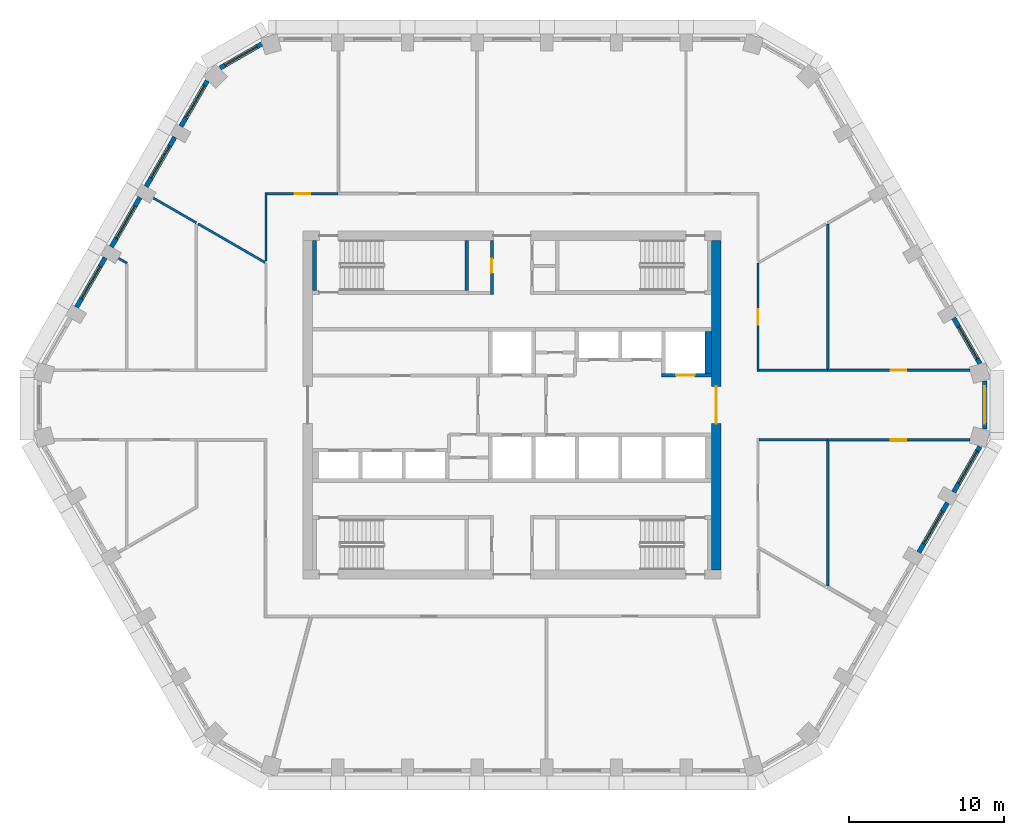
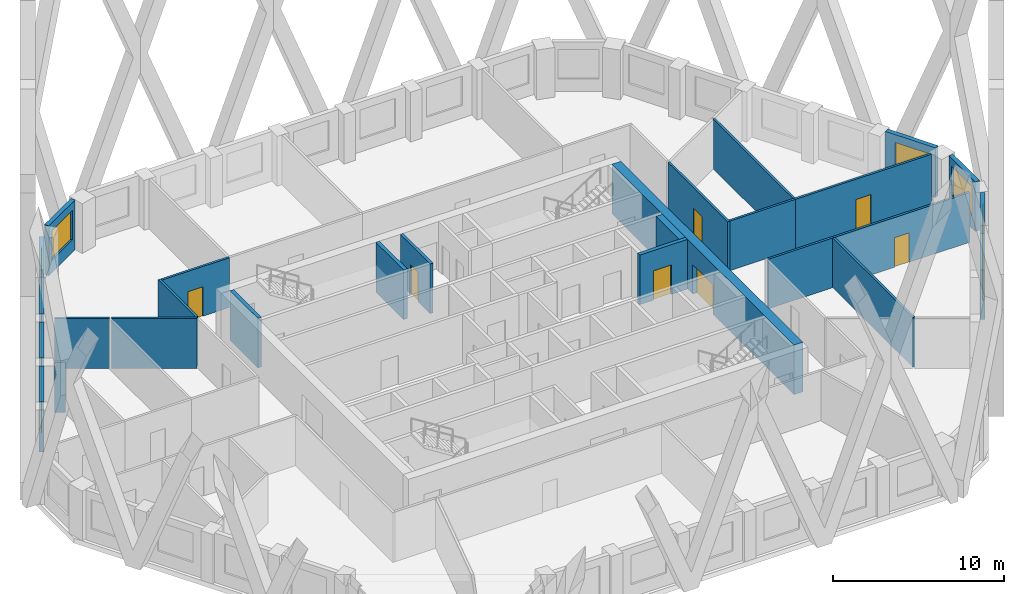
# One storey, part 5 of 15: 27 walls, 9 windows, 7 doors, 16 openings.
"""IFC4 building model written with IfcOpenShell, lengths in metres."""

import ifcopenshell
import ifcopenshell.guid

model = None  # the IFC model being written
_history = None  # IfcOwnerHistory: only IFC2X3 demands one
_inside = {}  # id of a spatial element -> (the spatial element, [elements in it])
_under = {}  # id of a project, library or spatial element -> (it, [spatial elements below it])
_declared = {}  # id of a project -> (the project, [libraries it declares])
_typed = {}  # id of a type object -> (the type object, [elements of that type])
_made_of = {}  # id of a material, layer set ... -> (it, [elements and type objects made of it])


def new_model(schema):
    """Start an empty IFC model of exactly this schema.

    Asked for "IFC4X3", IfcOpenShell would pick the latest addendum, in which some entities
    have other attributes; the version numbers below select the first issue.
    IFC2X3 requires an IfcOwnerHistory on every rooted entity: one is made here for all.
    """
    global model, _history
    if schema == "IFC4X3":
        model = ifcopenshell.file(schema_version=(4, 3, 0, 0))
    else:
        model = ifcopenshell.file(schema=schema)
    _inside.clear()
    _under.clear()
    _declared.clear()
    _typed.clear()
    _made_of.clear()
    _history = None
    if model.schema == "IFC2X3":
        org = make("IfcOrganization", Name="unknown")
        user = make(
            "IfcPersonAndOrganization",
            ThePerson=make("IfcPerson", FamilyName="unknown"),
            TheOrganization=org,
        )
        app = make(
            "IfcApplication",
            ApplicationDeveloper=org,
            Version="unknown",
            ApplicationFullName="unknown",
            ApplicationIdentifier="unknown",
        )
        _history = make(
            "IfcOwnerHistory",
            OwningUser=user,
            OwningApplication=app,
            ChangeAction="ADDED",
            CreationDate=0,
        )
    return model


def make(cls, **values):
    """One entity of the class cls with the attributes given. An attribute that is None is left unset."""
    return model.create_entity(
        cls, **{name: value for name, value in values.items() if value is not None}
    )


def rooted(cls, **values):
    """An entity with a GlobalId (a new one), such as an element, a storey or a relation."""
    return make(cls, GlobalId=ifcopenshell.guid.new(), OwnerHistory=_history, **values)


def si_unit(unit_type, name, prefix=None):
    """IfcSIUnit, for example si_unit("LENGTHUNIT", "METRE", prefix="MILLI")."""
    return make("IfcSIUnit", UnitType=unit_type, Prefix=prefix, Name=name)


def assignment(units):
    """IfcUnitAssignment: the units of a project."""
    return None if units is None else make("IfcUnitAssignment", Units=units)


def point(xyz):
    """IfcCartesianPoint."""
    return None if xyz is None else make("IfcCartesianPoint", Coordinates=xyz)


def direction(xyz):
    """IfcDirection."""
    return None if xyz is None else make("IfcDirection", DirectionRatios=xyz)


def frame(location, z_axis=None, x_axis=None):
    """IfcAxis2Placement3D, a coordinate frame: its origin and axes. An axis left out is left unset."""
    return make(
        "IfcAxis2Placement3D",
        Location=point(location),
        Axis=direction(z_axis),
        RefDirection=direction(x_axis),
    )


def frame_2d(location, x_axis=None):
    """IfcAxis2Placement2D, a coordinate frame in the plane: its origin and x axis."""
    return make(
        "IfcAxis2Placement2D", Location=point(location), RefDirection=direction(x_axis)
    )


def origin():
    """The frame at (0, 0, 0) with its axes left unset."""
    return frame((0.0, 0.0, 0.0))


def place(relative_to, where):
    """IfcLocalPlacement: puts the frame where relative to a parent placement (None: the world)."""
    return make(
        "IfcLocalPlacement", PlacementRelTo=relative_to, RelativePlacement=where
    )


def context(
    kind, dimensions, precision=None, world=None, true_north=None, identifier=None
):
    """IfcGeometricRepresentationContext, for example the 3D "Model" context."""
    return make(
        "IfcGeometricRepresentationContext",
        ContextIdentifier=identifier,
        ContextType=kind,
        CoordinateSpaceDimension=dimensions,
        Precision=precision,
        WorldCoordinateSystem=world,
        TrueNorth=true_north,
    )


def subcontext(parent, identifier, kind, view, scale=None):
    """IfcGeometricRepresentationSubContext, for example "Body" below "Model"."""
    return make(
        "IfcGeometricRepresentationSubContext",
        ContextIdentifier=identifier,
        ContextType=kind,
        ParentContext=parent,
        TargetScale=scale,
        TargetView=view,
    )


def project(units=None, contexts=None):
    """IfcProject with its units and contexts."""
    return rooted(
        "IfcProject",
        Name="project",
        RepresentationContexts=contexts,
        UnitsInContext=assignment(units),
    )


def spatial(cls, under=None, at=None, **own):
    """A site, building, storey or space (cls), placed at a placement, below another one or the project."""
    s = rooted(cls, ObjectPlacement=at, **own)
    if under is not None:
        _under.setdefault(under.id(), (under, []))[1].append(s)
    return s


def polyline(points):
    """IfcPolyline through the points."""
    return make("IfcPolyline", Points=[point(p) for p in points])


def profile(cls, at=None, kind="AREA", **sizes):
    """A parametric profile (cls). Its sizes go by their IFC names, for example OverallWidth=200.0."""
    return make(cls, ProfileType=kind, Position=at, **sizes)


def rectangle(**sizes):
    """IfcRectangleProfileDef."""
    return profile("IfcRectangleProfileDef", **sizes)


def outline(outer, holes=None, kind="AREA"):
    """IfcArbitraryClosedProfileDef: a profile drawn as a closed curve; with holes, ...WithVoids."""
    if holes is None:
        return make("IfcArbitraryClosedProfileDef", ProfileType=kind, OuterCurve=outer)
    return make(
        "IfcArbitraryProfileDefWithVoids",
        ProfileType=kind,
        OuterCurve=outer,
        InnerCurves=holes,
    )


def extrude(swept, where, along, depth):
    """IfcExtrudedAreaSolid: the profile swept, set in the frame where, extruded along a direction by depth."""
    return make(
        "IfcExtrudedAreaSolid",
        SweptArea=swept,
        Position=where,
        ExtrudedDirection=direction(along),
        Depth=depth,
    )


def shape(context_of_items, identifier, shape_type, items):
    """IfcShapeRepresentation: the items that make up one representation, for example the "Body"."""
    return make(
        "IfcShapeRepresentation",
        ContextOfItems=context_of_items,
        RepresentationIdentifier=identifier,
        RepresentationType=shape_type,
        Items=items,
    )


def material(Name=None, Category=None):
    """IfcMaterial."""
    return make("IfcMaterial", Name=Name, Category=Category)


def layer(
    of_material, thickness, ventilated=None, Name=None, Category=None, Priority=None
):
    """IfcMaterialLayer: one layer of a wall or slab, of a material (None: an air gap)."""
    return make(
        "IfcMaterialLayer",
        Material=of_material,
        LayerThickness=thickness,
        IsVentilated=ventilated,
        Name=Name,
        Category=Category,
        Priority=Priority,
    )


def layer_set(layers, Name=None):
    """IfcMaterialLayerSet."""
    return make("IfcMaterialLayerSet", MaterialLayers=layers, LayerSetName=Name)


def made_of(thing, what):
    """Note that an element or type object is made of a material, layer set ...; save() writes the relation."""
    if what is not None:
        _made_of.setdefault(what.id(), (what, []))[1].append(thing)
    return thing


def type_object(cls, material=None, **own):
    """A type object (cls), such as IfcWallType, which elements share."""
    return made_of(rooted(cls, **own), material)


def element(
    cls,
    number,
    at=None,
    inside=None,
    cuts=None,
    type_object=None,
    material=None,
    context=None,
    identifier="Body",
    shape_type=None,
    held_by="IfcProductDefinitionShape",
    body=None,
    shapes=None,
    **own,
):
    """One element of the class cls, such as IfcWall. Its Tag is "e" and its number.

    at: its placement. inside: the storey or other place that contains it. cuts: it is an
    opening in that element (IfcRelVoidsElement). A single representation is given by context,
    identifier, shape_type and body (its items); several are given by shapes. held_by: the class
    of the entity that holds the representations. save() writes the other relations.
    """
    e = rooted(cls, Tag="e%d" % number, ObjectPlacement=at, **own)
    if body is not None:
        shapes = [shape(context, identifier, shape_type, body)]
    if shapes is not None:
        e.Representation = make(held_by, Representations=shapes)
    if inside is not None:
        _inside.setdefault(inside.id(), (inside, []))[1].append(e)
    if cuts is not None:
        rooted(
            "IfcRelVoidsElement", RelatingBuildingElement=cuts, RelatedOpeningElement=e
        )
    if type_object is not None:
        _typed.setdefault(type_object.id(), (type_object, []))[1].append(e)
    return made_of(e, material)


def fill(opening, filler):
    """IfcRelFillsElement: the door or window that sits in an opening."""
    return rooted(
        "IfcRelFillsElement",
        RelatingOpeningElement=opening,
        RelatedBuildingElement=filler,
    )


def aggregate(whole, parts):
    """IfcRelAggregates: a whole, such as a stair, and the parts it consists of."""
    return rooted("IfcRelAggregates", RelatingObject=whole, RelatedObjects=parts)


def save(model, path):
    """Write the relations noted so far, then the file.

    IfcRelAggregates (storeys below a building ...), IfcRelContainedInSpatialStructure (elements
    in a storey), IfcRelDefinesByType, IfcRelAssociatesMaterial and IfcRelDeclares: one each for
    every whole, place, type object, material and project.
    """
    for whole, parts in _under.values():
        aggregate(whole, parts)
    for where, things in _inside.values():
        rooted(
            "IfcRelContainedInSpatialStructure",
            RelatedElements=things,
            RelatingStructure=where,
        )
    for kind, things in _typed.values():
        rooted("IfcRelDefinesByType", RelatedObjects=things, RelatingType=kind)
    for what, things in _made_of.values():
        rooted("IfcRelAssociatesMaterial", RelatedObjects=things, RelatingMaterial=what)
    for by, libraries in _declared.values():
        rooted("IfcRelDeclares", RelatingContext=by, RelatedDefinitions=libraries)
    model.write(path)


model = new_model("IFC4")

# Units and contexts
model_context = context("Model", 3, precision=1e-05, world=origin(), true_north=direction((0.0, 1.0)))
body_context = subcontext(model_context, "Body", "Model", "MODEL_VIEW")
ifc_project = project(units=[si_unit("LENGTHUNIT", "METRE"), si_unit("AREAUNIT", "SQUARE_METRE"), si_unit("VOLUMEUNIT", "CUBIC_METRE"), si_unit("PLANEANGLEUNIT", "RADIAN"), si_unit("MASSUNIT", "GRAM", prefix="KILO")], contexts=[model_context])

# Site, building, storey
site_placement = place(None, origin())
site = spatial("IfcSite", under=ifc_project, at=site_placement, CompositionType="ELEMENT")
building_placement = place(site_placement, origin())
building = spatial("IfcBuilding", under=site, at=building_placement, Name="Dhurran Vertical Campus", CompositionType="ELEMENT")
storey_placement = place(building_placement, frame((0.0, 0.0, 207.300048828125)))
storey = spatial("IfcBuildingStorey", under=building, at=storey_placement, Name="L51", CompositionType="ELEMENT", Elevation=207.300048828125)

# Wall, opening, window
ifc_material_1 = material(Name="Precast concrete C50/60", Category="concrete")
ifc_layer_1 = layer(ifc_material_1, 0.300048828125)
ifc_layer_set_1 = layer_set([ifc_layer_1], Name="Precast concrete C50/60")
wall_type_1 = type_object("IfcWallType", Name="Precast spandrel wall 300", PredefinedType="SOLIDWALL", material=ifc_layer_set_1)
wall_1_placement = place(storey_placement, frame((26.294189453125, -9.5224609375, 0.0), z_axis=(0.0, 0.0, 1.0), x_axis=(0.500029062817, 0.866008623709, 0.0)))
wall_1 = element("IfcWall", 1, at=wall_1_placement, inside=storey, type_object=wall_type_1, Name="EW1 L51.11", PredefinedType="SOLIDWALL", context=body_context, shape_type="SweptSolid", body=[
    extrude(rectangle(XDim=3.698974609375, YDim=0.300048828125, at=frame_2d((1.849609375, 0.0))), origin(), (0.0, 0.0, 1.0), 3.550048828125),
])
opening_1_placement = place(wall_1_placement, frame((0.6494140625, 0.0, 0.89990234375)))
opening_1 = element("IfcOpeningElement", 2, at=opening_1_placement, cuts=wall_1, Name="Opening WT1", PredefinedType="OPENING", context=body_context, shape_type="SweptSolid", body=[
    extrude(rectangle(XDim=2.39990234375, YDim=2.10009765625, at=frame_2d((1.199951171875, 1.050048828125))), frame((0.0, 0.159912109375, 0.0), z_axis=(0.0, -1.0, 0.0), x_axis=(1.0, 0.0, 0.0)), (0.0, 0.0, 1.0), 0.320068359375),
])
ifc_material_2 = material(Name="Aluminium frame with solar-control glass", Category="aluminium")
window_type = type_object("IfcWindowType", Name="Punched window 2400 x 2100", PartitioningType="SINGLE_PANEL", PredefinedType="WINDOW", material=ifc_material_2)
window_1_placement = place(opening_1_placement, origin())
window_1 = element("IfcWindow", 3, at=window_1_placement, inside=storey, type_object=window_type, Name="WT1 L51.11", OverallHeight=2.10009765625, OverallWidth=2.39990234375, PartitioningType="SINGLE_PANEL", PredefinedType="WINDOW", context=body_context, shape_type="SweptSolid", body=[
    extrude(rectangle(XDim=2.39990234375, YDim=2.10009765625, at=frame_2d((1.199951171875, 1.050048828125))), frame((0.0, 0.030029296875, 0.0), z_axis=(0.0, -1.0, 0.0), x_axis=(1.0, 0.0, 0.0)), (0.0, 0.0, 1.0), 0.06005859375),
])
fill(opening_1, window_1)

wall_2_placement = place(storey_placement, frame((28.544189453125, -5.625244140625, 0.0), z_axis=(0.0, 0.0, 1.0), x_axis=(0.500012868213, 0.866017974191, 0.0)))
wall_2 = element("IfcWall", 4, at=wall_2_placement, inside=storey, type_object=wall_type_1, Name="EW1 L51.12", PredefinedType="SOLIDWALL", context=body_context, shape_type="SweptSolid", body=[
    extrude(rectangle(XDim=3.39599609375, YDim=0.300048828125, at=frame_2d((1.697998046875, 0.0))), origin(), (0.0, 0.0, 1.0), 3.550048828125),
])
opening_2_placement = place(wall_2_placement, frame((0.6494140625, 0.0, 0.89990234375)))
opening_2 = element("IfcOpeningElement", 5, at=opening_2_placement, cuts=wall_2, Name="Opening WT1", PredefinedType="OPENING", context=body_context, shape_type="SweptSolid", body=[
    extrude(rectangle(XDim=2.39990234375, YDim=2.10009765625, at=frame_2d((1.199951171875, 1.050048828125))), frame((0.0, 0.159912109375, 0.0), z_axis=(0.0, -1.0, 0.0), x_axis=(1.0, 0.0, 0.0)), (0.0, 0.0, 1.0), 0.320068359375),
])
window_2_placement = place(opening_2_placement, origin())
window_2 = element("IfcWindow", 6, at=window_2_placement, inside=storey, type_object=window_type, Name="WT1 L51.12", OverallHeight=2.10009765625, OverallWidth=2.39990234375, PartitioningType="SINGLE_PANEL", PredefinedType="WINDOW", context=body_context, shape_type="SweptSolid", body=[
    extrude(rectangle(XDim=2.39990234375, YDim=2.10009765625, at=frame_2d((1.199951171875, 1.050048828125))), frame((0.0, 0.030029296875, 0.0), z_axis=(0.0, -1.0, 0.0), x_axis=(1.0, 0.0, 0.0)), (0.0, 0.0, 1.0), 0.06005859375),
])
fill(opening_2, window_2)

wall_3_placement = place(storey_placement, frame((30.547119140625, -1.54638671875, 0.0), z_axis=(0.0, 0.0, 1.0), x_axis=(0.0, 1.0, 0.0)))
wall_3 = element("IfcWall", 7, at=wall_3_placement, inside=storey, type_object=wall_type_1, Name="EW1 L51.13", PredefinedType="SOLIDWALL", context=body_context, shape_type="SweptSolid", body=[
    extrude(rectangle(XDim=3.0927734375, YDim=0.300048828125, at=frame_2d((1.54638671875, 0.0))), origin(), (0.0, 0.0, 1.0), 3.550048828125),
])
opening_3_placement = place(wall_3_placement, frame((0.34619140625, 0.0, 0.89990234375)))
opening_3 = element("IfcOpeningElement", 8, at=opening_3_placement, cuts=wall_3, Name="Opening WT1", PredefinedType="OPENING", context=body_context, shape_type="SweptSolid", body=[
    extrude(rectangle(XDim=2.39990234375, YDim=2.10009765625, at=frame_2d((1.199951171875, 1.050048828125))), frame((0.0, 0.159912109375, 0.0), z_axis=(0.0, -1.0, 0.0), x_axis=(1.0, 0.0, 0.0)), (0.0, 0.0, 1.0), 0.320068359375),
])
window_3_placement = place(opening_3_placement, origin())
window_3 = element("IfcWindow", 9, at=window_3_placement, inside=storey, type_object=window_type, Name="WT1 L51.13", OverallHeight=2.10009765625, OverallWidth=2.39990234375, PartitioningType="SINGLE_PANEL", PredefinedType="WINDOW", context=body_context, shape_type="SweptSolid", body=[
    extrude(rectangle(XDim=2.39990234375, YDim=2.10009765625, at=frame_2d((1.199951171875, 1.050048828125))), frame((0.0, 0.030029296875, 0.0), z_axis=(0.0, -1.0, 0.0), x_axis=(1.0, 0.0, 0.0)), (0.0, 0.0, 1.0), 0.06005859375),
])
fill(opening_3, window_3)

wall_4_placement = place(storey_placement, frame((30.2421875, 2.684326171875, 0.0), z_axis=(0.0, 0.0, 1.0), x_axis=(-0.500012868213, 0.866017974191, 0.0)))
wall_4 = element("IfcWall", 10, at=wall_4_placement, inside=storey, type_object=wall_type_1, Name="EW1 L51.14", PredefinedType="SOLIDWALL", context=body_context, shape_type="SweptSolid", body=[
    extrude(rectangle(XDim=3.39599609375, YDim=0.300048828125, at=frame_2d((1.697998046875, 0.0))), origin(), (0.0, 0.0, 1.0), 3.550048828125),
])
opening_4_placement = place(wall_4_placement, frame((0.346435546875, 0.0, 0.89990234375)))
opening_4 = element("IfcOpeningElement", 11, at=opening_4_placement, cuts=wall_4, Name="Opening WT1", PredefinedType="OPENING", context=body_context, shape_type="SweptSolid", body=[
    extrude(rectangle(XDim=2.39990234375, YDim=2.10009765625, at=frame_2d((1.199951171875, 1.050048828125))), frame((0.0, 0.159912109375, 0.0), z_axis=(0.0, -1.0, 0.0), x_axis=(1.0, 0.0, 0.0)), (0.0, 0.0, 1.0), 0.320068359375),
])
window_4_placement = place(opening_4_placement, origin())
window_4 = element("IfcWindow", 12, at=window_4_placement, inside=storey, type_object=window_type, Name="WT1 L51.14", OverallHeight=2.10009765625, OverallWidth=2.39990234375, PartitioningType="SINGLE_PANEL", PredefinedType="WINDOW", context=body_context, shape_type="SweptSolid", body=[
    extrude(rectangle(XDim=2.39990234375, YDim=2.10009765625, at=frame_2d((1.199951171875, 1.050048828125))), frame((0.0, 0.030029296875, 0.0), z_axis=(0.0, -1.0, 0.0), x_axis=(1.0, 0.0, 0.0)), (0.0, 0.0, 1.0), 0.06005859375),
])
fill(opening_4, window_4)

wall_5_placement = place(storey_placement, frame((-16.184326171875, 23.330810546875, 0.0), z_axis=(0.0, 0.0, 1.0), x_axis=(-0.865994975416, -0.500052699777, 0.0)))
wall_5 = element("IfcWall", 13, at=wall_5_placement, inside=storey, type_object=wall_type_1, Name="EW1 L51.27", PredefinedType="SOLIDWALL", context=body_context, shape_type="SweptSolid", body=[
    extrude(rectangle(XDim=3.093017578125, YDim=0.300048828125, at=frame_2d((1.54638671875, 0.0))), origin(), (0.0, 0.0, 1.0), 3.550048828125),
])
opening_5_placement = place(wall_5_placement, frame((0.346435546875, 0.0, 0.89990234375)))
opening_5 = element("IfcOpeningElement", 14, at=opening_5_placement, cuts=wall_5, Name="Opening WT1", PredefinedType="OPENING", context=body_context, shape_type="SweptSolid", body=[
    extrude(rectangle(XDim=2.39990234375, YDim=2.10009765625, at=frame_2d((1.199951171875, 1.050048828125))), frame((0.0, 0.159912109375, 0.0), z_axis=(0.0, -1.0, 0.0), x_axis=(1.0, 0.0, 0.0)), (0.0, 0.0, 1.0), 0.320068359375),
])
window_5_placement = place(opening_5_placement, origin())
window_5 = element("IfcWindow", 15, at=window_5_placement, inside=storey, type_object=window_type, Name="WT1 L51.27", OverallHeight=2.10009765625, OverallWidth=2.39990234375, PartitioningType="SINGLE_PANEL", PredefinedType="WINDOW", context=body_context, shape_type="SweptSolid", body=[
    extrude(rectangle(XDim=2.39990234375, YDim=2.10009765625, at=frame_2d((1.199951171875, 1.050048828125))), frame((0.0, 0.030029296875, 0.0), z_axis=(0.0, -1.0, 0.0), x_axis=(1.0, 0.0, 0.0)), (0.0, 0.0, 1.0), 0.06005859375),
])
fill(opening_5, window_5)

wall_6_placement = place(storey_placement, frame((-19.69580078125, 20.951171875, 0.0), z_axis=(0.0, 0.0, 1.0), x_axis=(-0.500012868213, -0.866017974191, 0.0)))
wall_6 = element("IfcWall", 16, at=wall_6_placement, inside=storey, type_object=wall_type_1, Name="EW1 L51.28", PredefinedType="SOLIDWALL", context=body_context, shape_type="SweptSolid", body=[
    extrude(rectangle(XDim=3.39599609375, YDim=0.300048828125, at=frame_2d((1.697998046875, 0.0))), origin(), (0.0, 0.0, 1.0), 3.550048828125),
])
opening_6_placement = place(wall_6_placement, frame((0.346435546875, 0.0, 0.89990234375)))
opening_6 = element("IfcOpeningElement", 17, at=opening_6_placement, cuts=wall_6, Name="Opening WT1", PredefinedType="OPENING", context=body_context, shape_type="SweptSolid", body=[
    extrude(rectangle(XDim=2.39990234375, YDim=2.10009765625, at=frame_2d((1.199951171875, 1.050048828125))), frame((0.0, 0.159912109375, 0.0), z_axis=(0.0, -1.0, 0.0), x_axis=(1.0, 0.0, 0.0)), (0.0, 0.0, 1.0), 0.320068359375),
])
window_6_placement = place(opening_6_placement, origin())
window_6 = element("IfcWindow", 18, at=window_6_placement, inside=storey, type_object=window_type, Name="WT1 L51.28", OverallHeight=2.10009765625, OverallWidth=2.39990234375, PartitioningType="SINGLE_PANEL", PredefinedType="WINDOW", context=body_context, shape_type="SweptSolid", body=[
    extrude(rectangle(XDim=2.39990234375, YDim=2.10009765625, at=frame_2d((1.199951171875, 1.050048828125))), frame((0.0, 0.030029296875, 0.0), z_axis=(0.0, -1.0, 0.0), x_axis=(1.0, 0.0, 0.0)), (0.0, 0.0, 1.0), 0.06005859375),
])
fill(opening_6, window_6)

wall_7_placement = place(storey_placement, frame((-21.794189453125, 17.316650390625, 0.0), z_axis=(0.0, 0.0, 1.0), x_axis=(-0.500029062817, -0.866008623709, 0.0)))
wall_7 = element("IfcWall", 19, at=wall_7_placement, inside=storey, type_object=wall_type_1, Name="EW1 L51.29", PredefinedType="SOLIDWALL", context=body_context, shape_type="SweptSolid", body=[
    extrude(rectangle(XDim=3.698974609375, YDim=0.300048828125, at=frame_2d((1.849609375, 0.0))), origin(), (0.0, 0.0, 1.0), 3.550048828125),
])
opening_7_placement = place(wall_7_placement, frame((0.6494140625, 0.0, 0.89990234375)))
opening_7 = element("IfcOpeningElement", 20, at=opening_7_placement, cuts=wall_7, Name="Opening WT1", PredefinedType="OPENING", context=body_context, shape_type="SweptSolid", body=[
    extrude(rectangle(XDim=2.39990234375, YDim=2.10009765625, at=frame_2d((1.199951171875, 1.050048828125))), frame((0.0, 0.159912109375, 0.0), z_axis=(0.0, -1.0, 0.0), x_axis=(1.0, 0.0, 0.0)), (0.0, 0.0, 1.0), 0.320068359375),
])
window_7_placement = place(opening_7_placement, origin())
window_7 = element("IfcWindow", 21, at=window_7_placement, inside=storey, type_object=window_type, Name="WT1 L51.29", OverallHeight=2.10009765625, OverallWidth=2.39990234375, PartitioningType="SINGLE_PANEL", PredefinedType="WINDOW", context=body_context, shape_type="SweptSolid", body=[
    extrude(rectangle(XDim=2.39990234375, YDim=2.10009765625, at=frame_2d((1.199951171875, 1.050048828125))), frame((0.0, 0.030029296875, 0.0), z_axis=(0.0, -1.0, 0.0), x_axis=(1.0, 0.0, 0.0)), (0.0, 0.0, 1.0), 0.06005859375),
])
fill(opening_7, window_7)

wall_8_placement = place(storey_placement, frame((-24.044189453125, 13.41943359375, 0.0), z_axis=(0.0, 0.0, 1.0), x_axis=(-0.500029062817, -0.866008623709, 0.0)))
wall_8 = element("IfcWall", 22, at=wall_8_placement, inside=storey, type_object=wall_type_1, Name="EW1 L51.30", PredefinedType="SOLIDWALL", context=body_context, shape_type="SweptSolid", body=[
    extrude(rectangle(XDim=3.698974609375, YDim=0.300048828125, at=frame_2d((1.849609375, 0.0))), origin(), (0.0, 0.0, 1.0), 3.550048828125),
])
opening_8_placement = place(wall_8_placement, frame((0.6494140625, 0.0, 0.89990234375)))
opening_8 = element("IfcOpeningElement", 23, at=opening_8_placement, cuts=wall_8, Name="Opening WT1", PredefinedType="OPENING", context=body_context, shape_type="SweptSolid", body=[
    extrude(rectangle(XDim=2.39990234375, YDim=2.10009765625, at=frame_2d((1.199951171875, 1.050048828125))), frame((0.0, 0.159912109375, 0.0), z_axis=(0.0, -1.0, 0.0), x_axis=(1.0, 0.0, 0.0)), (0.0, 0.0, 1.0), 0.320068359375),
])
window_8_placement = place(opening_8_placement, origin())
window_8 = element("IfcWindow", 24, at=window_8_placement, inside=storey, type_object=window_type, Name="WT1 L51.30", OverallHeight=2.10009765625, OverallWidth=2.39990234375, PartitioningType="SINGLE_PANEL", PredefinedType="WINDOW", context=body_context, shape_type="SweptSolid", body=[
    extrude(rectangle(XDim=2.39990234375, YDim=2.10009765625, at=frame_2d((1.199951171875, 1.050048828125))), frame((0.0, 0.030029296875, 0.0), z_axis=(0.0, -1.0, 0.0), x_axis=(1.0, 0.0, 0.0)), (0.0, 0.0, 1.0), 0.06005859375),
])
fill(opening_8, window_8)

wall_9_placement = place(storey_placement, frame((-26.294189453125, 9.5224609375, 0.0), z_axis=(0.0, 0.0, 1.0), x_axis=(-0.500029062817, -0.866008623709, 0.0)))
wall_9 = element("IfcWall", 25, at=wall_9_placement, inside=storey, type_object=wall_type_1, Name="EW1 L51.31", PredefinedType="SOLIDWALL", context=body_context, shape_type="SweptSolid", body=[
    extrude(rectangle(XDim=3.698974609375, YDim=0.300048828125, at=frame_2d((1.849609375, 0.0))), origin(), (0.0, 0.0, 1.0), 3.550048828125),
])
opening_9_placement = place(wall_9_placement, frame((0.6494140625, 0.0, 0.89990234375)))
opening_9 = element("IfcOpeningElement", 26, at=opening_9_placement, cuts=wall_9, Name="Opening WT1", PredefinedType="OPENING", context=body_context, shape_type="SweptSolid", body=[
    extrude(rectangle(XDim=2.39990234375, YDim=2.10009765625, at=frame_2d((1.199951171875, 1.050048828125))), frame((0.0, 0.159912109375, 0.0), z_axis=(0.0, -1.0, 0.0), x_axis=(1.0, 0.0, 0.0)), (0.0, 0.0, 1.0), 0.320068359375),
])
window_9_placement = place(opening_9_placement, origin())
window_9 = element("IfcWindow", 27, at=window_9_placement, inside=storey, type_object=window_type, Name="WT1 L51.31", OverallHeight=2.10009765625, OverallWidth=2.39990234375, PartitioningType="SINGLE_PANEL", PredefinedType="WINDOW", context=body_context, shape_type="SweptSolid", body=[
    extrude(rectangle(XDim=2.39990234375, YDim=2.10009765625, at=frame_2d((1.199951171875, 1.050048828125))), frame((0.0, 0.030029296875, 0.0), z_axis=(0.0, -1.0, 0.0), x_axis=(1.0, 0.0, 0.0)), (0.0, 0.0, 1.0), 0.06005859375),
])
fill(opening_9, window_9)

# Wall, opening, door
ifc_material_3 = material(Name="Concrete C50/60", Category="concrete")
ifc_layer_2 = layer(ifc_material_3, 0.60009765625)
ifc_layer_set_2 = layer_set([ifc_layer_2], Name="Concrete C50/60")
wall_type_2 = type_object("IfcWallType", Name="co-CORE-WALL-C2-600", PredefinedType="SHEAR", material=ifc_layer_set_2)
wall_10_placement = place(storey_placement, frame((13.199951171875, -10.64990234375, 0.0), z_axis=(0.0, 0.0, 1.0), x_axis=(0.0, 1.0, 0.0)))
wall_10 = element("IfcWall", 28, at=wall_10_placement, inside=storey, type_object=wall_type_2, Name="Core wall E L51", PredefinedType="SHEAR", context=body_context, shape_type="SweptSolid", body=[
    extrude(rectangle(XDim=21.2998046875, YDim=0.60009765625, at=frame_2d((10.64990234375, 0.0))), origin(), (0.0, 0.0, 1.0), 3.550048828125),
])
opening_10_placement = place(wall_10_placement, frame((9.449951171875, 0.0, 0.0)))
opening_10 = element("IfcOpeningElement", 29, at=opening_10_placement, cuts=wall_10, Name="Opening CL2", PredefinedType="OPENING", context=body_context, shape_type="SweptSolid", body=[
    extrude(rectangle(XDim=2.39990234375, YDim=2.10009765625, at=frame_2d((1.199951171875, 1.050048828125))), frame((0.0, 0.31005859375, 0.0), z_axis=(0.0, -1.0, 0.0), x_axis=(1.0, 0.0, 0.0)), (0.0, 0.0, 1.0), 0.6201171875),
])
ifc_material_4 = material(Name="Fire-rated glazed door set")
door_type_1 = type_object("IfcDoorType", Name="co-D-LOBBY 2400x2100", OperationType="DOUBLE_DOOR_DOUBLE_SWING", PredefinedType="DOOR", material=ifc_material_4)
door_1_placement = place(opening_10_placement, origin())
door_1 = element("IfcDoor", 30, at=door_1_placement, inside=storey, type_object=door_type_1, Name="Lift lobby door E L51", OperationType="DOUBLE_DOOR_DOUBLE_SWING", OverallHeight=2.10009765625, OverallWidth=2.39990234375, PredefinedType="DOOR", context=body_context, shape_type="SweptSolid", body=[
    extrude(rectangle(XDim=2.39990234375, YDim=2.10009765625, at=frame_2d((1.199951171875, 1.050048828125))), frame((0.0, 0.02490234375, 0.0), z_axis=(0.0, -1.0, 0.0), x_axis=(1.0, 0.0, 0.0)), (0.0, 0.0, 1.0), 0.050048828125),
])
fill(opening_10, door_1)

ifc_material_5 = material(Name="Fire-rated masonry blockwork", Category="masonry")
ifc_layer_3 = layer(ifc_material_5, 0.199951171875)
ifc_layer_set_3 = layer_set([ifc_layer_3], Name="Fire-rated masonry blockwork")
wall_type_3 = type_object("IfcWallType", Name="co-FIRE-PARTITION-200", PredefinedType="PARTITIONING", material=ifc_layer_set_3)
wall_11_placement = place(storey_placement, frame((-1.300048828125, 7.14990234375, 0.0), z_axis=(0.0, 0.0, 1.0), x_axis=(0.0, 1.0, 0.0)))
wall_11 = element("IfcWall", 31, at=wall_11_placement, inside=storey, type_object=wall_type_3, Name="Core partition vest-NW L51", PredefinedType="PARTITIONING", context=body_context, shape_type="SweptSolid", body=[
    extrude(rectangle(XDim=3.5, YDim=0.199951171875, at=frame_2d((1.75, 0.0))), origin(), (0.0, 0.0, 1.0), 3.550048828125),
])
opening_11_placement = place(wall_11_placement, frame((1.39990234375, 0.0, 0.0)))
opening_11 = element("IfcOpeningElement", 32, at=opening_11_placement, cuts=wall_11, Name="Opening T15-C3", PredefinedType="OPENING", context=body_context, shape_type="SweptSolid", body=[
    extrude(rectangle(XDim=0.89990234375, YDim=2.10009765625, at=frame_2d((0.449951171875, 1.050048828125))), frame((0.0, 0.10986328125, 0.0), z_axis=(0.0, -1.0, 0.0), x_axis=(1.0, 0.0, 0.0)), (0.0, 0.0, 1.0), 0.219970703125),
])
ifc_material_6 = material(Name="Fire-rated timber door set", Category="wood")
door_type_2 = type_object("IfcDoorType", Name="co-D-ROOM 900x2100", OperationType="SINGLE_SWING_LEFT", PredefinedType="DOOR", material=ifc_material_6)
door_2_placement = place(opening_11_placement, origin())
door_2 = element("IfcDoor", 33, at=door_2_placement, inside=storey, type_object=door_type_2, Name="Electrical riser door L51", OperationType="SINGLE_SWING_LEFT", OverallHeight=2.10009765625, OverallWidth=0.89990234375, PredefinedType="DOOR", context=body_context, shape_type="SweptSolid", body=[
    extrude(rectangle(XDim=0.89990234375, YDim=2.10009765625, at=frame_2d((0.449951171875, 1.050048828125))), frame((0.0, 0.02490234375, 0.0), z_axis=(0.0, -1.0, 0.0), x_axis=(1.0, 0.0, 0.0)), (0.0, 0.0, 1.0), 0.050048828125),
])
fill(opening_11, door_2)

ifc_material_7 = material(Name="Concrete C50/60", Category="concrete")
ifc_layer_4 = layer(ifc_material_7, 0.25)
ifc_layer_set_4 = layer_set([ifc_layer_4], Name="Concrete C50/60")
wall_type_4 = type_object("IfcWallType", Name="co-SHAFT-FRONT-250", PredefinedType="SHEAR", material=ifc_layer_set_4)
wall_12_placement = place(storey_placement, frame((9.675048828125, 1.925048828125, 0.0), z_axis=(0.0, 0.0, 1.0), x_axis=(1.0, 0.0, 0.0)))
wall_12 = element("IfcWall", 34, at=wall_12_placement, inside=storey, type_object=wall_type_4, Name="Lift landing wall N L51", PredefinedType="SHEAR", context=body_context, shape_type="SweptSolid", body=[
    extrude(rectangle(XDim=3.224853515625, YDim=0.25, at=frame_2d((1.6123046875, 0.0))), origin(), (0.0, 0.0, 1.0), 3.550048828125),
])
opening_12_placement = place(wall_12_placement, frame((0.925048828125, 0.0, 0.0)))
opening_12 = element("IfcOpeningElement", 35, at=opening_12_placement, cuts=wall_12, Name="Opening LD", PredefinedType="OPENING", context=body_context, shape_type="SweptSolid", body=[
    extrude(rectangle(XDim=1.199951171875, YDim=2.10009765625, at=frame_2d((0.60009765625, 1.050048828125))), frame((0.0, 0.135009765625, 0.0), z_axis=(0.0, -1.0, 0.0), x_axis=(1.0, 0.0, 0.0)), (0.0, 0.0, 1.0), 0.27001953125),
])
ifc_material_8 = material(Name="Stainless steel landing door", Category="steel")
door_type_3 = type_object("IfcDoorType", Name="co-D-LANDING 1200x2100", OperationType="DOUBLE_DOOR_SLIDING", PredefinedType="DOOR", material=ifc_material_8)
door_3_placement = place(opening_12_placement, origin())
door_3 = element("IfcDoor", 36, at=door_3_placement, inside=storey, type_object=door_type_3, Name="Landing door SV2 L51", OperationType="DOUBLE_DOOR_SLIDING", OverallHeight=2.10009765625, OverallWidth=1.199951171875, PredefinedType="DOOR", context=body_context, shape_type="SweptSolid", body=[
    extrude(rectangle(XDim=1.199951171875, YDim=2.10009765625, at=frame_2d((0.60009765625, 1.050048828125))), frame((0.0, 0.02490234375, 0.0), z_axis=(0.0, -1.0, 0.0), x_axis=(1.0, 0.0, 0.0)), (0.0, 0.0, 1.0), 0.050048828125),
])
fill(opening_12, door_3)

# Walls
ifc_material_9 = material(Name="Concrete C50/60", Category="concrete")
ifc_layer_5 = layer(ifc_material_9, 0.25)
ifc_layer_set_5 = layer_set([ifc_layer_5], Name="Concrete C50/60")
wall_type_5 = type_object("IfcWallType", Name="co-SHAFT-MASS-250", PredefinedType="SHEAR", material=ifc_layer_set_5)
wall_13_placement = place(storey_placement, origin())
element("IfcWall", 37, at=wall_13_placement, inside=storey, type_object=wall_type_5, Name="Lift shaft wall N L51 6", PredefinedType="SHEAR", context=body_context, shape_type="SweptSolid", body=[
    extrude(outline(polyline([(12.47509765625, 2.050048828125), (12.89990234375, 2.050048828125), (12.89990234375, 4.75), (12.47509765625, 4.75), (12.47509765625, 2.050048828125)])), origin(), (0.0, 0.0, 1.0), 3.550048828125),
])
ifc_material_10 = material(Name="Concrete C40/50", Category="concrete")
ifc_layer_6 = layer(ifc_material_10, 0.25)
ifc_layer_set_6 = layer_set([ifc_layer_6], Name="Concrete C40/50")
wall_type_6 = type_object("IfcWallType", Name="co-STAIR-WALL-250", PredefinedType="SHEAR", material=ifc_layer_set_6)
for number, where, z_axis, x_axis, name in (
    (38, (-12.77490234375, 7.39990234375, 0.0), (0.0, 0.0, 1.0), (0.0, 1.0, 0.0), "Stair ST1 enclosure wall L51"),
    (39, (-2.925048828125, 7.39990234375, 0.0), (0.0, 0.0, 1.0), (0.0, 1.0, 0.0), "Stair ST1 enclosure wall L51"),
):
    element("IfcWall", number, at=place(storey_placement, frame(where, z_axis=z_axis, x_axis=x_axis)), inside=storey, type_object=wall_type_6, Name=name, PredefinedType="SHEAR", context=body_context, shape_type="SweptSolid", body=[
        extrude(rectangle(XDim=3.25, YDim=0.25, at=frame_2d((1.625, 0.0))), origin(), (0.0, 0.0, 1.0), 3.550048828125),
    ])
ifc_material_11 = material(Name="Gypsum board corridor wall on steel studs", Category="steel")
ifc_layer_7 = layer(ifc_material_11, 0.14990234375)
ifc_layer_set_7 = layer_set([ifc_layer_7], Name="Gypsum board corridor wall on steel studs")
wall_type_7 = type_object("IfcWallType", Name="fl-CW-150 corridor wall", PredefinedType="PARTITIONING", material=ifc_layer_set_7)
wall_14_placement = place(storey_placement, frame((-15.89990234375, 13.72509765625, 0.0), z_axis=(0.0, 0.0, 1.0), x_axis=(0.0, -1.0, 0.0)))
element("IfcWall", 40, at=wall_14_placement, inside=storey, type_object=wall_type_7, Name="Partition 51-19", PredefinedType="PARTITIONING", context=body_context, shape_type="SweptSolid", body=[
    extrude(rectangle(XDim=4.4150390625, YDim=0.14990234375, at=frame_2d((2.20751953125, 0.0))), origin(), (0.0, 0.0, 1.0), 3.550048828125),
])

# Wall, opening, door
wall_15_placement = place(storey_placement, frame((-11.25, 13.64990234375, 0.0), z_axis=(0.0, 0.0, 1.0), x_axis=(-1.0, 0.0, 0.0)))
wall_15 = element("IfcWall", 41, at=wall_15_placement, inside=storey, type_object=wall_type_7, Name="Partition 51-20", PredefinedType="PARTITIONING", context=body_context, shape_type="SweptSolid", body=[
    extrude(rectangle(XDim=4.574951171875, YDim=0.14990234375, at=frame_2d((2.28759765625, 0.0))), origin(), (0.0, 0.0, 1.0), 3.550048828125),
])
opening_13_placement = place(wall_15_placement, frame((1.78759765625, 0.0, 0.0)))
opening_13 = element("IfcOpeningElement", 42, at=opening_13_placement, cuts=wall_15, Name="Opening T15.07", PredefinedType="OPENING", context=body_context, shape_type="SweptSolid", body=[
    extrude(rectangle(XDim=1.0, YDim=2.10009765625, at=frame_2d((0.5, 1.050048828125))), frame((0.0, 0.0849609375, 0.0), z_axis=(0.0, -1.0, 0.0), x_axis=(1.0, 0.0, 0.0)), (0.0, 0.0, 1.0), 0.169921875),
])
ifc_material_12 = material(Name="Solid-core timber door set, fire-rated", Category="wood")
door_type_4 = type_object("IfcDoorType", Name="fl-D-1000x2100", OperationType="SINGLE_SWING_LEFT", PredefinedType="DOOR", material=ifc_material_12)
door_4_placement = place(opening_13_placement, origin())
door_4 = element("IfcDoor", 43, at=door_4_placement, inside=storey, type_object=door_type_4, Name="Door 51.07", OperationType="SINGLE_SWING_LEFT", OverallHeight=2.10009765625, OverallWidth=1.0, PredefinedType="DOOR", context=body_context, shape_type="SweptSolid", body=[
    extrude(rectangle(XDim=1.0, YDim=2.10009765625, at=frame_2d((0.5, 1.050048828125))), frame((0.0, 0.02490234375, 0.0), z_axis=(0.0, -1.0, 0.0), x_axis=(1.0, 0.0, 0.0)), (0.0, 0.0, 1.0), 0.050048828125),
])
fill(opening_13, door_4)

# Wall
wall_16_placement = place(storey_placement, frame((20.39990234375, -2.25, 0.0), z_axis=(0.0, 0.0, 1.0), x_axis=(-1.0, 0.0, 0.0)))
element("IfcWall", 44, at=wall_16_placement, inside=storey, type_object=wall_type_7, Name="Partition 51-36", PredefinedType="PARTITIONING", context=body_context, shape_type="SweptSolid", body=[
    extrude(rectangle(XDim=4.4248046875, YDim=0.14990234375, at=frame_2d((2.21240234375, 0.0))), origin(), (0.0, 0.0, 1.0), 3.550048828125),
])

# Wall, opening, door
wall_17_placement = place(storey_placement, frame((15.89990234375, 2.175048828125, 0.0), z_axis=(0.0, 0.0, 1.0), x_axis=(0.0, 1.0, 0.0)))
wall_17 = element("IfcWall", 45, at=wall_17_placement, inside=storey, type_object=wall_type_7, Name="Partition 51-37", PredefinedType="PARTITIONING", context=body_context, shape_type="SweptSolid", body=[
    extrude(rectangle(XDim=7.0048828125, YDim=0.14990234375, at=frame_2d((3.50244140625, 0.0))), origin(), (0.0, 0.0, 1.0), 3.550048828125),
])
opening_14_placement = place(wall_17_placement, frame((3.00244140625, 0.0, 0.0)))
opening_14 = element("IfcOpeningElement", 46, at=opening_14_placement, cuts=wall_17, Name="Opening T15.15", PredefinedType="OPENING", context=body_context, shape_type="SweptSolid", body=[
    extrude(rectangle(XDim=1.0, YDim=2.10009765625, at=frame_2d((0.5, 1.050048828125))), frame((0.0, 0.0849609375, 0.0), z_axis=(0.0, -1.0, 0.0), x_axis=(1.0, 0.0, 0.0)), (0.0, 0.0, 1.0), 0.169921875),
])
door_5_placement = place(opening_14_placement, origin())
door_5 = element("IfcDoor", 47, at=door_5_placement, inside=storey, type_object=door_type_4, Name="Door 51.15", OperationType="SINGLE_SWING_LEFT", OverallHeight=2.10009765625, OverallWidth=1.0, PredefinedType="DOOR", context=body_context, shape_type="SweptSolid", body=[
    extrude(rectangle(XDim=1.0, YDim=2.10009765625, at=frame_2d((0.5, 1.050048828125))), frame((0.0, 0.02490234375, 0.0), z_axis=(0.0, -1.0, 0.0), x_axis=(1.0, 0.0, 0.0)), (0.0, 0.0, 1.0), 0.050048828125),
])
fill(opening_14, door_5)

# Wall
wall_18_placement = place(storey_placement, frame((15.97509765625, 2.25, 0.0), z_axis=(0.0, 0.0, 1.0), x_axis=(1.0, 0.0, 0.0)))
element("IfcWall", 48, at=wall_18_placement, inside=storey, type_object=wall_type_7, Name="Partition 51-38", PredefinedType="PARTITIONING", context=body_context, shape_type="SweptSolid", body=[
    extrude(rectangle(XDim=4.4248046875, YDim=0.14990234375, at=frame_2d((2.21240234375, 0.0))), origin(), (0.0, 0.0, 1.0), 3.550048828125),
])

# Wall, opening, door
wall_19_placement = place(storey_placement, frame((29.5849609375, -2.25, 0.0), z_axis=(0.0, 0.0, 1.0), x_axis=(-1.0, 0.0, 0.0)))
wall_19 = element("IfcWall", 49, at=wall_19_placement, inside=storey, type_object=wall_type_7, Name="Partition 51-43", PredefinedType="PARTITIONING", context=body_context, shape_type="SweptSolid", body=[
    extrude(rectangle(XDim=9.18505859375, YDim=0.14990234375, at=frame_2d((4.592529296875, 0.0))), origin(), (0.0, 0.0, 1.0), 3.550048828125),
])
opening_15_placement = place(wall_19_placement, frame((4.092529296875, 0.0, 0.0)))
opening_15 = element("IfcOpeningElement", 50, at=opening_15_placement, cuts=wall_19, Name="Opening T15.16", PredefinedType="OPENING", context=body_context, shape_type="SweptSolid", body=[
    extrude(rectangle(XDim=1.0, YDim=2.10009765625, at=frame_2d((0.5, 1.050048828125))), frame((0.0, 0.0849609375, 0.0), z_axis=(0.0, -1.0, 0.0), x_axis=(1.0, 0.0, 0.0)), (0.0, 0.0, 1.0), 0.169921875),
])
door_6_placement = place(opening_15_placement, origin())
door_6 = element("IfcDoor", 51, at=door_6_placement, inside=storey, type_object=door_type_4, Name="Door 51.16", OperationType="SINGLE_SWING_RIGHT", OverallHeight=2.10009765625, OverallWidth=1.0, PredefinedType="DOOR", context=body_context, shape_type="SweptSolid", body=[
    extrude(rectangle(XDim=1.0, YDim=2.10009765625, at=frame_2d((0.5, 1.050048828125))), frame((0.0, 0.02490234375, 0.0), z_axis=(0.0, -1.0, 0.0), x_axis=(1.0, 0.0, 0.0)), (0.0, 0.0, 1.0), 0.050048828125),
])
fill(opening_15, door_6)

wall_20_placement = place(storey_placement, frame((20.39990234375, 2.25, 0.0), z_axis=(0.0, 0.0, 1.0), x_axis=(1.0, 0.0, 0.0)))
wall_20 = element("IfcWall", 52, at=wall_20_placement, inside=storey, type_object=wall_type_7, Name="Partition 51-45", PredefinedType="PARTITIONING", context=body_context, shape_type="SweptSolid", body=[
    extrude(rectangle(XDim=9.18505859375, YDim=0.14990234375, at=frame_2d((4.592529296875, 0.0))), origin(), (0.0, 0.0, 1.0), 3.550048828125),
])
opening_16_placement = place(wall_20_placement, frame((4.092529296875, 0.0, 0.0)))
opening_16 = element("IfcOpeningElement", 53, at=opening_16_placement, cuts=wall_20, Name="Opening T15.17", PredefinedType="OPENING", context=body_context, shape_type="SweptSolid", body=[
    extrude(rectangle(XDim=1.0, YDim=2.10009765625, at=frame_2d((0.5, 1.050048828125))), frame((0.0, 0.0849609375, 0.0), z_axis=(0.0, -1.0, 0.0), x_axis=(1.0, 0.0, 0.0)), (0.0, 0.0, 1.0), 0.169921875),
])
door_7_placement = place(opening_16_placement, origin())
door_7 = element("IfcDoor", 54, at=door_7_placement, inside=storey, type_object=door_type_4, Name="Door 51.17", OperationType="SINGLE_SWING_LEFT", OverallHeight=2.10009765625, OverallWidth=1.0, PredefinedType="DOOR", context=body_context, shape_type="SweptSolid", body=[
    extrude(rectangle(XDim=1.0, YDim=2.10009765625, at=frame_2d((0.5, 1.050048828125))), frame((0.0, 0.02490234375, 0.0), z_axis=(0.0, -1.0, 0.0), x_axis=(1.0, 0.0, 0.0)), (0.0, 0.0, 1.0), 0.050048828125),
])
fill(opening_16, door_7)

# Walls
ifc_material_13 = material(Name="Gypsum board partition on steel studs", Category="steel")
ifc_layer_8 = layer(ifc_material_13, 0.14990234375)
ifc_layer_set_8 = layer_set([ifc_layer_8], Name="Gypsum board partition on steel studs")
wall_type_8 = type_object("IfcWallType", Name="fl-PW-150 fixed partition", PredefinedType="PARTITIONING", material=ifc_layer_set_8)
wall_21_placement = place(storey_placement, frame((-25.427001953125, 9.484375, 0.0), z_axis=(0.0, 0.0, 1.0), x_axis=(0.86590958411, -0.500200551925, 0.0)))
element("IfcWall", 55, at=wall_21_placement, inside=storey, type_object=wall_type_8, Name="Partition 51-04", PredefinedType="PARTITIONING", context=body_context, shape_type="SweptSolid", body=[
    extrude(rectangle(XDim=0.633544921875, YDim=0.14990234375, at=frame_2d((0.31689453125, 0.0))), origin(), (0.0, 0.0, 1.0), 3.550048828125),
])
wall_22_placement = place(storey_placement, frame((-23.17724609375, 13.381103515625, 0.0), z_axis=(0.0, 0.0, 1.0), x_axis=(0.866089241828, -0.499889412961, 0.0)))
element("IfcWall", 56, at=wall_22_placement, inside=storey, type_object=wall_type_8, Name="Partition 51-10", PredefinedType="PARTITIONING", context=body_context, shape_type="SweptSolid", body=[
    extrude(rectangle(XDim=3.206787109375, YDim=0.14990234375, at=frame_2d((1.603515625, 0.0))), origin(), (0.0, 0.0, 1.0), 3.550048828125),
])
wall_23_placement = place(storey_placement, frame((-20.287353515625, 11.712890625, 0.0), z_axis=(0.0, 0.0, 1.0), x_axis=(0.866034070548, -0.499984988425, 0.0)))
element("IfcWall", 57, at=wall_23_placement, inside=storey, type_object=wall_type_8, Name="Partition 51-15", PredefinedType="PARTITIONING", context=body_context, shape_type="SweptSolid", body=[
    extrude(rectangle(XDim=4.990966796875, YDim=0.14990234375, at=frame_2d((2.49560546875, 0.0))), origin(), (0.0, 0.0, 1.0), 3.550048828125),
])
for number, where, z_axis, x_axis, name in (
    (58, (20.39990234375, -2.324951171875, 0.0), (0.0, 0.0, 1.0), (0.0, -1.0, 0.0), "Partition 51-41"),
    (59, (20.39990234375, 11.702880859375, 0.0), (0.0, 0.0, 1.0), (0.0, -1.0, 0.0), "Partition 51-44"),
):
    element("IfcWall", number, at=place(storey_placement, frame(where, z_axis=z_axis, x_axis=x_axis)), inside=storey, type_object=wall_type_8, Name=name, PredefinedType="PARTITIONING", context=body_context, shape_type="SweptSolid", body=[
        extrude(rectangle(XDim=9.3779296875, YDim=0.14990234375, at=frame_2d((4.68896484375, 0.0))), origin(), (0.0, 0.0, 1.0), 3.550048828125),
    ])

save(model, "model.ifc")
